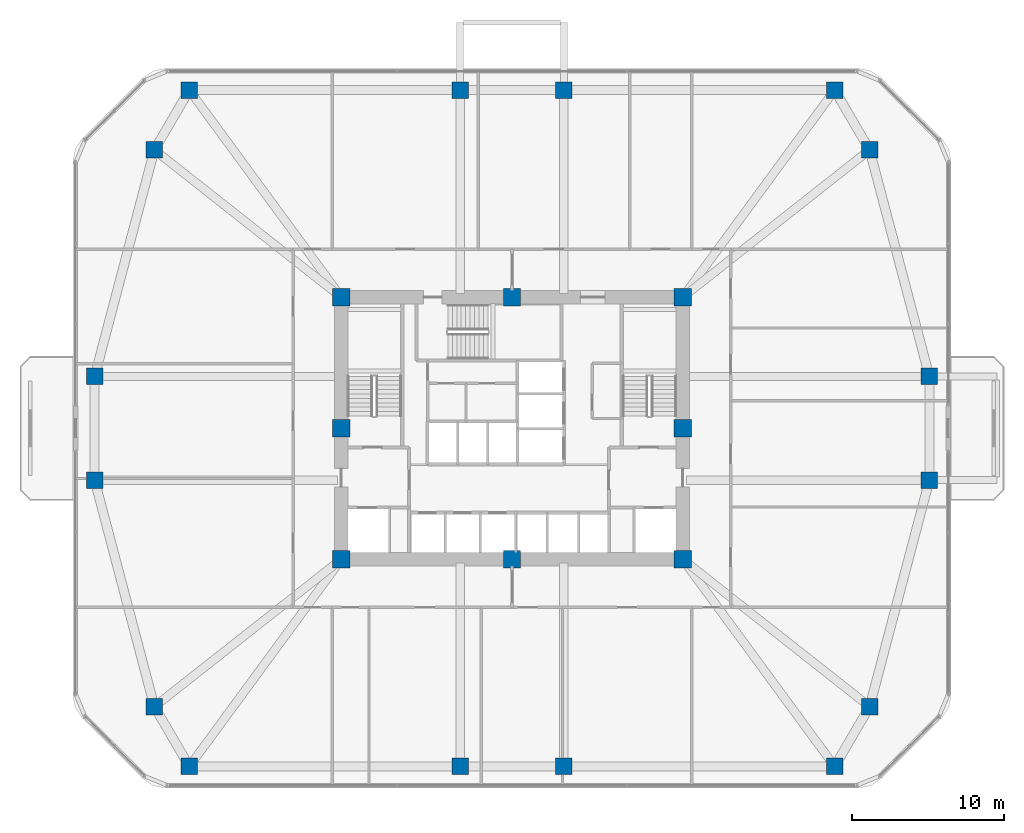
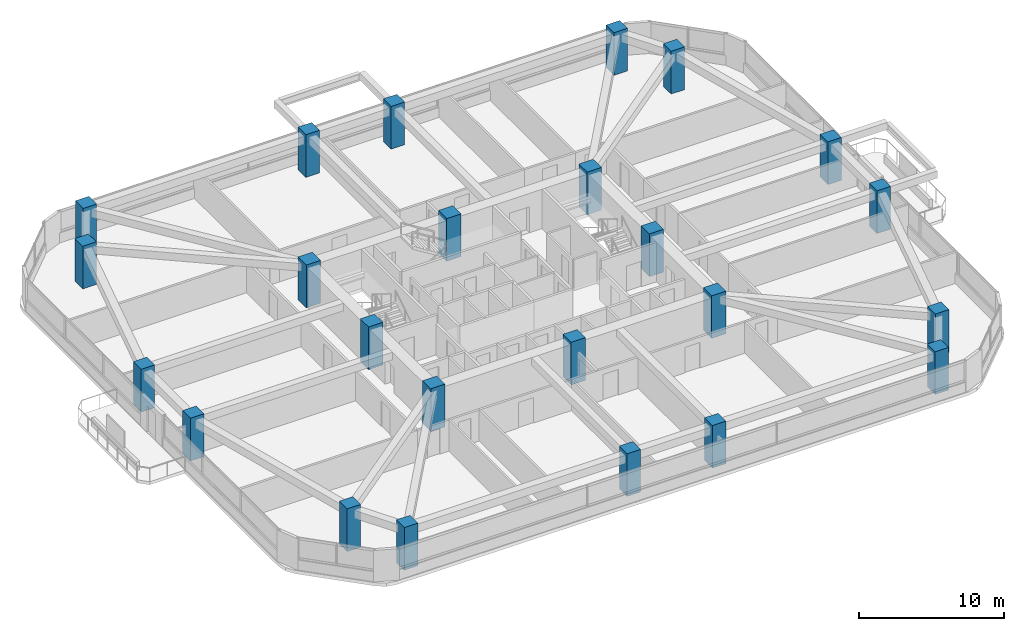
# One storey, part 1 of 15: 24 columns.
"""IFC4 building model written with IfcOpenShell, lengths in metres."""

import ifcopenshell
import ifcopenshell.guid

model = None  # the IFC model being written
_history = None  # IfcOwnerHistory: only IFC2X3 demands one
_inside = {}  # id of a spatial element -> (the spatial element, [elements in it])
_under = {}  # id of a project, library or spatial element -> (it, [spatial elements below it])
_declared = {}  # id of a project -> (the project, [libraries it declares])
_typed = {}  # id of a type object -> (the type object, [elements of that type])
_made_of = {}  # id of a material, layer set ... -> (it, [elements and type objects made of it])


def new_model(schema):
    """Start an empty IFC model of exactly this schema.

    Asked for "IFC4X3", IfcOpenShell would pick the latest addendum, in which some entities
    have other attributes; the version numbers below select the first issue.
    IFC2X3 requires an IfcOwnerHistory on every rooted entity: one is made here for all.
    """
    global model, _history
    if schema == "IFC4X3":
        model = ifcopenshell.file(schema_version=(4, 3, 0, 0))
    else:
        model = ifcopenshell.file(schema=schema)
    _inside.clear()
    _under.clear()
    _declared.clear()
    _typed.clear()
    _made_of.clear()
    _history = None
    if model.schema == "IFC2X3":
        org = make("IfcOrganization", Name="unknown")
        user = make(
            "IfcPersonAndOrganization",
            ThePerson=make("IfcPerson", FamilyName="unknown"),
            TheOrganization=org,
        )
        app = make(
            "IfcApplication",
            ApplicationDeveloper=org,
            Version="unknown",
            ApplicationFullName="unknown",
            ApplicationIdentifier="unknown",
        )
        _history = make(
            "IfcOwnerHistory",
            OwningUser=user,
            OwningApplication=app,
            ChangeAction="ADDED",
            CreationDate=0,
        )
    return model


def make(cls, **values):
    """One entity of the class cls with the attributes given. An attribute that is None is left unset."""
    return model.create_entity(
        cls, **{name: value for name, value in values.items() if value is not None}
    )


def rooted(cls, **values):
    """An entity with a GlobalId (a new one), such as an element, a storey or a relation."""
    return make(cls, GlobalId=ifcopenshell.guid.new(), OwnerHistory=_history, **values)


def si_unit(unit_type, name, prefix=None):
    """IfcSIUnit, for example si_unit("LENGTHUNIT", "METRE", prefix="MILLI")."""
    return make("IfcSIUnit", UnitType=unit_type, Prefix=prefix, Name=name)


def derived_unit(unit_type, elements):
    """IfcDerivedUnit: a product of units, each with its exponent."""
    return make(
        "IfcDerivedUnit",
        Elements=[
            make("IfcDerivedUnitElement", Unit=unit, Exponent=power)
            for unit, power in elements
        ],
        UnitType=unit_type,
    )


def assignment(units):
    """IfcUnitAssignment: the units of a project."""
    return None if units is None else make("IfcUnitAssignment", Units=units)


def point(xyz):
    """IfcCartesianPoint."""
    return None if xyz is None else make("IfcCartesianPoint", Coordinates=xyz)


def direction(xyz):
    """IfcDirection."""
    return None if xyz is None else make("IfcDirection", DirectionRatios=xyz)


def frame(location, z_axis=None, x_axis=None):
    """IfcAxis2Placement3D, a coordinate frame: its origin and axes. An axis left out is left unset."""
    return make(
        "IfcAxis2Placement3D",
        Location=point(location),
        Axis=direction(z_axis),
        RefDirection=direction(x_axis),
    )


def frame_2d(location, x_axis=None):
    """IfcAxis2Placement2D, a coordinate frame in the plane: its origin and x axis."""
    return make(
        "IfcAxis2Placement2D", Location=point(location), RefDirection=direction(x_axis)
    )


def origin():
    """The frame at (0, 0, 0) with its axes left unset."""
    return frame((0.0, 0.0, 0.0))


def origin_2d():
    """The frame at (0, 0) in the plane with its x axis left unset."""
    return frame_2d((0.0, 0.0))


def place(relative_to, where):
    """IfcLocalPlacement: puts the frame where relative to a parent placement (None: the world)."""
    return make(
        "IfcLocalPlacement", PlacementRelTo=relative_to, RelativePlacement=where
    )


def context(
    kind, dimensions, precision=None, world=None, true_north=None, identifier=None
):
    """IfcGeometricRepresentationContext, for example the 3D "Model" context."""
    return make(
        "IfcGeometricRepresentationContext",
        ContextIdentifier=identifier,
        ContextType=kind,
        CoordinateSpaceDimension=dimensions,
        Precision=precision,
        WorldCoordinateSystem=world,
        TrueNorth=true_north,
    )


def subcontext(parent, identifier, kind, view, scale=None):
    """IfcGeometricRepresentationSubContext, for example "Body" below "Model"."""
    return make(
        "IfcGeometricRepresentationSubContext",
        ContextIdentifier=identifier,
        ContextType=kind,
        ParentContext=parent,
        TargetScale=scale,
        TargetView=view,
    )


def project(units=None, contexts=None):
    """IfcProject with its units and contexts."""
    return rooted(
        "IfcProject",
        Name="project",
        RepresentationContexts=contexts,
        UnitsInContext=assignment(units),
    )


def spatial(cls, under=None, at=None, **own):
    """A site, building, storey or space (cls), placed at a placement, below another one or the project."""
    s = rooted(cls, ObjectPlacement=at, **own)
    if under is not None:
        _under.setdefault(under.id(), (under, []))[1].append(s)
    return s


def profile(cls, at=None, kind="AREA", **sizes):
    """A parametric profile (cls). Its sizes go by their IFC names, for example OverallWidth=200.0."""
    return make(cls, ProfileType=kind, Position=at, **sizes)


def rectangle(**sizes):
    """IfcRectangleProfileDef."""
    return profile("IfcRectangleProfileDef", **sizes)


def extrude(swept, where, along, depth):
    """IfcExtrudedAreaSolid: the profile swept, set in the frame where, extruded along a direction by depth."""
    return make(
        "IfcExtrudedAreaSolid",
        SweptArea=swept,
        Position=where,
        ExtrudedDirection=direction(along),
        Depth=depth,
    )


def shape(context_of_items, identifier, shape_type, items):
    """IfcShapeRepresentation: the items that make up one representation, for example the "Body"."""
    return make(
        "IfcShapeRepresentation",
        ContextOfItems=context_of_items,
        RepresentationIdentifier=identifier,
        RepresentationType=shape_type,
        Items=items,
    )


def material(Name=None, Category=None):
    """IfcMaterial."""
    return make("IfcMaterial", Name=Name, Category=Category)


def material_profile(
    of_material, cross_section, Name=None, Category=None, Priority=None
):
    """IfcMaterialProfile: a cross section and its material."""
    return make(
        "IfcMaterialProfile",
        Name=Name,
        Material=of_material,
        Profile=cross_section,
        Priority=Priority,
        Category=Category,
    )


def profile_set(profiles, Name=None, composite=None):
    """IfcMaterialProfileSet."""
    return make(
        "IfcMaterialProfileSet",
        Name=Name,
        MaterialProfiles=profiles,
        CompositeProfile=composite,
    )


def made_of(thing, what):
    """Note that an element or type object is made of a material, layer set ...; save() writes the relation."""
    if what is not None:
        _made_of.setdefault(what.id(), (what, []))[1].append(thing)
    return thing


def type_object(cls, material=None, **own):
    """A type object (cls), such as IfcWallType, which elements share."""
    return made_of(rooted(cls, **own), material)


def element(
    cls,
    number,
    at=None,
    inside=None,
    cuts=None,
    type_object=None,
    material=None,
    context=None,
    identifier="Body",
    shape_type=None,
    held_by="IfcProductDefinitionShape",
    body=None,
    shapes=None,
    **own,
):
    """One element of the class cls, such as IfcWall. Its Tag is "e" and its number.

    at: its placement. inside: the storey or other place that contains it. cuts: it is an
    opening in that element (IfcRelVoidsElement). A single representation is given by context,
    identifier, shape_type and body (its items); several are given by shapes. held_by: the class
    of the entity that holds the representations. save() writes the other relations.
    """
    e = rooted(cls, Tag="e%d" % number, ObjectPlacement=at, **own)
    if body is not None:
        shapes = [shape(context, identifier, shape_type, body)]
    if shapes is not None:
        e.Representation = make(held_by, Representations=shapes)
    if inside is not None:
        _inside.setdefault(inside.id(), (inside, []))[1].append(e)
    if cuts is not None:
        rooted(
            "IfcRelVoidsElement", RelatingBuildingElement=cuts, RelatedOpeningElement=e
        )
    if type_object is not None:
        _typed.setdefault(type_object.id(), (type_object, []))[1].append(e)
    return made_of(e, material)


def aggregate(whole, parts):
    """IfcRelAggregates: a whole, such as a stair, and the parts it consists of."""
    return rooted("IfcRelAggregates", RelatingObject=whole, RelatedObjects=parts)


def save(model, path):
    """Write the relations noted so far, then the file.

    IfcRelAggregates (storeys below a building ...), IfcRelContainedInSpatialStructure (elements
    in a storey), IfcRelDefinesByType, IfcRelAssociatesMaterial and IfcRelDeclares: one each for
    every whole, place, type object, material and project.
    """
    for whole, parts in _under.values():
        aggregate(whole, parts)
    for where, things in _inside.values():
        rooted(
            "IfcRelContainedInSpatialStructure",
            RelatedElements=things,
            RelatingStructure=where,
        )
    for kind, things in _typed.values():
        rooted("IfcRelDefinesByType", RelatedObjects=things, RelatingType=kind)
    for what, things in _made_of.values():
        rooted("IfcRelAssociatesMaterial", RelatedObjects=things, RelatingMaterial=what)
    for by, libraries in _declared.values():
        rooted("IfcRelDeclares", RelatingContext=by, RelatedDefinitions=libraries)
    model.write(path)


model = new_model("IFC4")

# Units and contexts
model_context = context("Model", 3, precision=1e-05, world=origin(), true_north=direction((0.0, 1.0)))
body_context = subcontext(model_context, "Body", "Model", "MODEL_VIEW")
ifc_project = project(units=[si_unit("LENGTHUNIT", "METRE"), si_unit("AREAUNIT", "SQUARE_METRE"), si_unit("VOLUMEUNIT", "CUBIC_METRE"), si_unit("PLANEANGLEUNIT", "RADIAN"), si_unit("MASSUNIT", "GRAM", prefix="KILO"), derived_unit("THERMALTRANSMITTANCEUNIT", [(si_unit("POWERUNIT", "WATT"), 1), (si_unit("LENGTHUNIT", "METRE"), -2), (si_unit("THERMODYNAMICTEMPERATUREUNIT", "KELVIN"), -1)])], contexts=[model_context])

# Site, building, storey
site_placement = place(None, origin())
site = spatial("IfcSite", under=ifc_project, at=site_placement, CompositionType="ELEMENT")
building_placement = place(site_placement, origin())
building = spatial("IfcBuilding", under=site, at=building_placement, Name="Koralith Skygarden Medical Center", CompositionType="ELEMENT")
storey_placement = place(building_placement, frame((0.0, 0.0, 27.5400390625)))
storey = spatial("IfcBuildingStorey", under=building, at=storey_placement, Name="L06", CompositionType="ELEMENT", Elevation=27.5400390625)

# Columns
ifc_material = material(Name="Concrete C70/85", Category="concrete")
ifc_material_profile_1 = material_profile(ifc_material, rectangle(XDim=1.139892578125, YDim=1.139892578125, at=origin_2d()), Name="RC1140X1140")
ifc_profile_set_1 = profile_set([ifc_material_profile_1], Name="Concrete C70/85")
column_type_1 = type_object("IfcColumnType", Name="Core Mega-Column C70 RC1140", PredefinedType="COLUMN", material=ifc_profile_set_1)
for number, where, z_axis, x_axis, name in (
    (1, (25.800048828125, 17.300048828125, 0.0), (0.0, 0.0, 1.0), (1.0, 0.0, 0.0), "L06 Core Column CC-01"),
    (2, (37.0, 17.300048828125, 0.0), (0.0, 0.0, 1.0), (1.0, 0.0, 0.0), "L06 Core Column CC-02"),
    (3, (48.199951171875, 17.300048828125, 0.0), (0.0, 0.0, 1.0), (1.0, 0.0, 0.0), "L06 Core Column CC-03"),
    (4, (48.199951171875, 25.89990234375, 0.0), (0.0, 0.0, 1.0), (1.0, 0.0, 0.0), "L06 Core Column CC-04"),
    (5, (48.199951171875, 34.5, 0.0), (0.0, 0.0, 1.0), (1.0, 0.0, 0.0), "L06 Core Column CC-05"),
    (6, (37.0, 34.5, 0.0), (0.0, 0.0, 1.0), (1.0, 0.0, 0.0), "L06 Core Column CC-06"),
    (7, (25.800048828125, 34.5, 0.0), (0.0, 0.0, 1.0), (1.0, 0.0, 0.0), "L06 Core Column CC-07"),
    (8, (25.800048828125, 25.89990234375, 0.0), (0.0, 0.0, 1.0), (1.0, 0.0, 0.0), "L06 Core Column CC-08"),
):
    element("IfcColumn", number, at=place(storey_placement, frame(where, z_axis=z_axis, x_axis=x_axis)), inside=storey, type_object=column_type_1, Name=name, PredefinedType="COLUMN", context=body_context, shape_type="SweptSolid", body=[
        extrude(rectangle(XDim=1.139892578125, YDim=1.139892578125, at=origin_2d()), origin(), (0.0, 0.0, 1.0), 3.599853515625),
    ])
ifc_material_profile_2 = material_profile(ifc_material, rectangle(XDim=1.080078125, YDim=1.080078125, at=origin_2d()), Name="RC1080X1080")
ifc_profile_set_2 = profile_set([ifc_material_profile_2], Name="Concrete C70/85")
column_type_2 = type_object("IfcColumnType", Name="Zone 1 Octagonal Mega-Column C70 RC1080", PredefinedType="COLUMN", material=ifc_profile_set_2)
for number, where, z_axis, x_axis, name in (
    (9, (9.6201171875, 22.5, 0.0), (0.0, 0.0, 1.0), (1.0, 0.0, 0.0), "L06 Perimeter Mega-Column MC-01"),
    (10, (13.5400390625, 7.639892578125, 0.0), (0.0, 0.0, 1.0), (1.0, 0.0, 0.0), "L06 Perimeter Mega-Column MC-02"),
    (11, (15.83203125, 3.719970703125, 0.0), (0.0, 0.0, 1.0), (1.0, 0.0, 0.0), "L06 Perimeter Mega-Column MC-03"),
    (12, (33.60009765625, 3.719970703125, 0.0), (0.0, 0.0, 1.0), (1.0, 0.0, 0.0), "L06 Perimeter Mega-Column MC-04"),
    (13, (40.39990234375, 3.719970703125, 0.0), (0.0, 0.0, 1.0), (1.0, 0.0, 0.0), "L06 Perimeter Mega-Column MC-05"),
    (14, (58.16796875, 3.719970703125, 0.0), (0.0, 0.0, 1.0), (1.0, 0.0, 0.0), "L06 Perimeter Mega-Column MC-06"),
    (15, (60.4599609375, 7.639892578125, 0.0), (0.0, 0.0, 1.0), (1.0, 0.0, 0.0), "L06 Perimeter Mega-Column MC-07"),
    (16, (64.3798828125, 22.5, 0.0), (0.0, 0.0, 1.0), (1.0, 0.0, 0.0), "L06 Perimeter Mega-Column MC-08"),
    (17, (64.3798828125, 29.300048828125, 0.0), (0.0, 0.0, 1.0), (1.0, 0.0, 0.0), "L06 Perimeter Mega-Column MC-09"),
    (18, (60.4599609375, 44.159912109375, 0.0), (0.0, 0.0, 1.0), (1.0, 0.0, 0.0), "L06 Perimeter Mega-Column MC-10"),
    (19, (58.16796875, 48.080078125, 0.0), (0.0, 0.0, 1.0), (1.0, 0.0, 0.0), "L06 Perimeter Mega-Column MC-11"),
    (20, (40.39990234375, 48.080078125, 0.0), (0.0, 0.0, 1.0), (1.0, 0.0, 0.0), "L06 Perimeter Mega-Column MC-12"),
    (21, (33.60009765625, 48.080078125, 0.0), (0.0, 0.0, 1.0), (1.0, 0.0, 0.0), "L06 Perimeter Mega-Column MC-13"),
    (22, (15.83203125, 48.080078125, 0.0), (0.0, 0.0, 1.0), (1.0, 0.0, 0.0), "L06 Perimeter Mega-Column MC-14"),
    (23, (13.5400390625, 44.159912109375, 0.0), (0.0, 0.0, 1.0), (1.0, 0.0, 0.0), "L06 Perimeter Mega-Column MC-15"),
    (24, (9.6201171875, 29.300048828125, 0.0), (0.0, 0.0, 1.0), (1.0, 0.0, 0.0), "L06 Perimeter Mega-Column MC-16"),
):
    element("IfcColumn", number, at=place(storey_placement, frame(where, z_axis=z_axis, x_axis=x_axis)), inside=storey, type_object=column_type_2, Name=name, PredefinedType="COLUMN", context=body_context, shape_type="SweptSolid", body=[
        extrude(rectangle(XDim=1.080078125, YDim=1.080078125, at=origin_2d()), origin(), (0.0, 0.0, 1.0), 3.599853515625),
    ])

save(model, "model.ifc")
